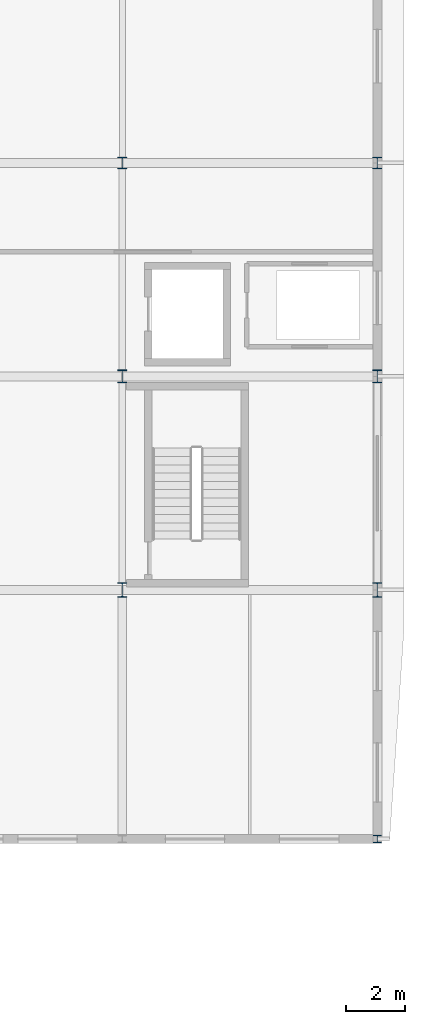
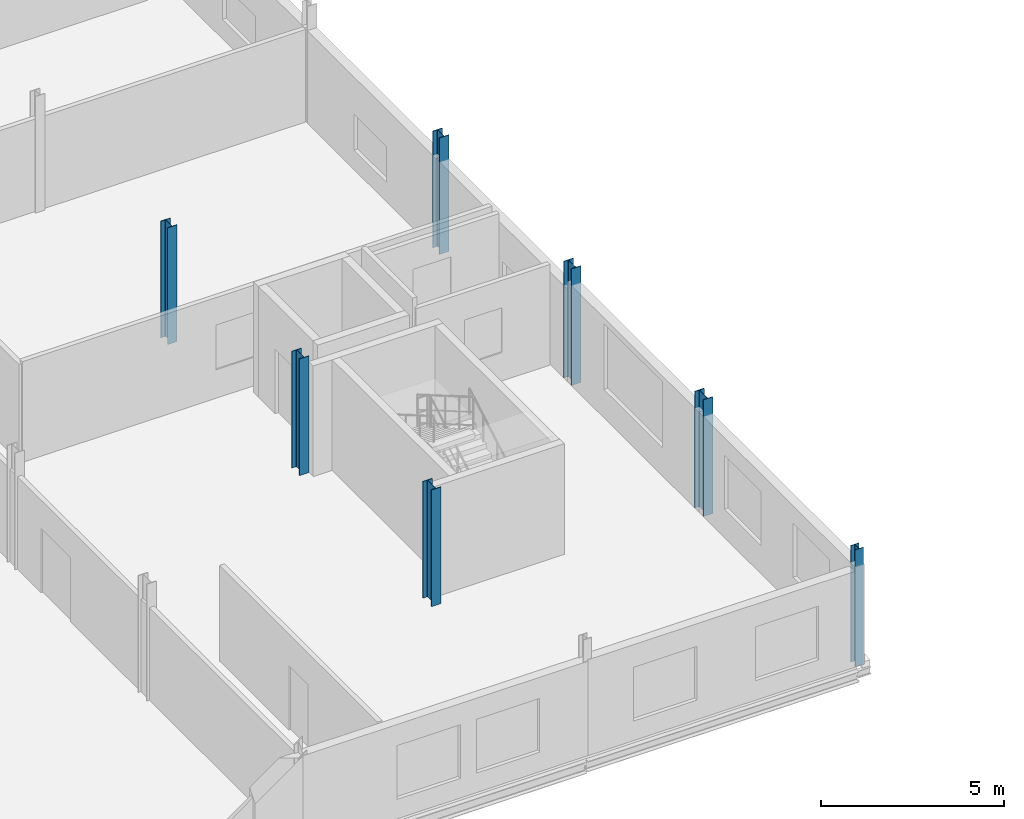
# One storey, part 6 of 49: 7 columns.
"""IFC4 building model written with IfcOpenShell, lengths in metres."""

from ifc_helpers import new_model, si_unit, direction, frame, origin, origin_2d, place, context, subcontext, project, spatial, i_section, extrude, material, material_profile, profile_set, type_object, element, save


model = new_model("IFC4")

# Units and contexts
model_context = context("Model", 3, precision=1e-05, world=origin(), true_north=direction((0.0, 1.0)))
body_context = subcontext(model_context, "Body", "Model", "MODEL_VIEW")
ifc_project = project(units=[si_unit("LENGTHUNIT", "METRE"), si_unit("AREAUNIT", "SQUARE_METRE"), si_unit("VOLUMEUNIT", "CUBIC_METRE"), si_unit("PLANEANGLEUNIT", "RADIAN"), si_unit("MASSUNIT", "GRAM", prefix="KILO")], contexts=[model_context])

# Site, building, storey
site_placement = place(None, origin())
site = spatial("IfcSite", under=ifc_project, at=site_placement, CompositionType="ELEMENT")
building_placement = place(site_placement, origin())
building = spatial("IfcBuilding", under=site, at=building_placement, Name="Vinh Khe Railworks Police Headquarters", CompositionType="ELEMENT")
storey_placement = place(building_placement, frame((0.0, 0.0, 17.10009765625)))
storey = spatial("IfcBuildingStorey", under=building, at=storey_placement, Name="L04", CompositionType="ELEMENT", Elevation=17.10009765625)

# Columns
ifc_material = material(Name="Steel S355JR", Category="steel")
ifc_material_profile_1 = material_profile(ifc_material, i_section(OverallWidth=0.300048828125, OverallDepth=0.389892578125, WebThickness=0.010986328125, FlangeThickness=0.01904296875, FilletRadius=0.027099609375, at=origin_2d()), Name="HEA 400")
ifc_profile_set_1 = profile_set([ifc_material_profile_1], Name="Steel S355JR")
column_type_1 = type_object("IfcColumnType", Name="Steel Column HEA 400", PredefinedType="COLUMN", material=ifc_profile_set_1)
for number, where, z_axis, x_axis, name in (
    (1, (105.0, 145.199951171875, 0.0), (0.0, 0.0, 1.0), (1.0, 0.0, 0.0), "Column COL-L04-SC-15-1372"),
    (2, (113.60009765625, 145.199951171875, 0.0), (0.0, 0.0, 1.0), (1.0, 0.0, 0.0), "Column COL-L04-SC-15-1433"),
):
    element("IfcColumn", number, at=place(storey_placement, frame(where, z_axis=z_axis, x_axis=x_axis)), inside=storey, type_object=column_type_1, Name=name, PredefinedType="COLUMN", context=body_context, shape_type="SweptSolid", body=[
        extrude(i_section(OverallWidth=0.300048828125, OverallDepth=0.389892578125, WebThickness=0.010986328125, FlangeThickness=0.01904296875, FilletRadius=0.027099609375, at=origin_2d()), origin(), (0.0, 0.0, 1.0), 3.89990234375),
    ])
ifc_material_profile_2 = material_profile(ifc_material, i_section(OverallWidth=0.300048828125, OverallDepth=0.43994140625, WebThickness=0.011474609375, FlangeThickness=0.02099609375, FilletRadius=0.027099609375, at=origin_2d()), Name="HEA 450")
ifc_profile_set_2 = profile_set([ifc_material_profile_2], Name="Steel S355JR")
column_type_2 = type_object("IfcColumnType", Name="Steel Column HEA 450", PredefinedType="COLUMN", material=ifc_profile_set_2)
for number, where, z_axis, x_axis, name in (
    (3, (105.0, 138.0, 0.0), (0.0, 0.0, 1.0), (1.0, 0.0, 0.0), "Column COL-L04-SC-14-1365"),
    (4, (113.60009765625, 138.0, 0.0), (0.0, 0.0, 1.0), (1.0, 0.0, 0.0), "Column COL-L04-SC-14-1426"),
):
    element("IfcColumn", number, at=place(storey_placement, frame(where, z_axis=z_axis, x_axis=x_axis)), inside=storey, type_object=column_type_2, Name=name, PredefinedType="COLUMN", context=body_context, shape_type="SweptSolid", body=[
        extrude(i_section(OverallWidth=0.300048828125, OverallDepth=0.43994140625, WebThickness=0.011474609375, FlangeThickness=0.02099609375, FilletRadius=0.027099609375, at=origin_2d()), origin(), (0.0, 0.0, 1.0), 3.89990234375),
    ])
ifc_material_profile_3 = material_profile(ifc_material, i_section(OverallWidth=0.300048828125, OverallDepth=0.489990234375, WebThickness=0.011962890625, FlangeThickness=0.02294921875, FilletRadius=0.027099609375, at=origin_2d()), Name="HEA 500")
ifc_profile_set_3 = profile_set([ifc_material_profile_3], Name="Steel S355JR")
column_type_3 = type_object("IfcColumnType", Name="Steel Column HEA 500", PredefinedType="COLUMN", material=ifc_profile_set_3)
for number, where, z_axis, x_axis, name in (
    (5, (105.0, 130.800048828125, 0.0), (0.0, 0.0, 1.0), (1.0, 0.0, 0.0), "Column COL-L04-SC-13-1358"),
    (6, (113.60009765625, 130.800048828125, 0.0), (0.0, 0.0, 1.0), (1.0, 0.0, 0.0), "Column COL-L04-SC-13-1419"),
):
    element("IfcColumn", number, at=place(storey_placement, frame(where, z_axis=z_axis, x_axis=x_axis)), inside=storey, type_object=column_type_3, Name=name, PredefinedType="COLUMN", context=body_context, shape_type="SweptSolid", body=[
        extrude(i_section(OverallWidth=0.300048828125, OverallDepth=0.489990234375, WebThickness=0.011962890625, FlangeThickness=0.02294921875, FilletRadius=0.027099609375, at=origin_2d()), origin(), (0.0, 0.0, 1.0), 3.89990234375),
    ])
ifc_material_profile_4 = material_profile(ifc_material, i_section(OverallWidth=0.260009765625, OverallDepth=0.260009765625, WebThickness=0.010009765625, FlangeThickness=0.017578125, FilletRadius=0.02392578125, at=origin_2d()), Name="HEB 260")
ifc_profile_set_4 = profile_set([ifc_material_profile_4], Name="Steel S355JR")
column_type_4 = type_object("IfcColumnType", Name="Steel Column HEB 260", PredefinedType="COLUMN", material=ifc_profile_set_4)
column_placement = place(storey_placement, frame((113.60009765625, 122.39990234375, 0.0), z_axis=(0.0, 0.0, 1.0), x_axis=(1.0, 0.0, 0.0)))
element("IfcColumn", 7, at=column_placement, inside=storey, type_object=column_type_4, Name="Column COL-L04-SC-12-1412", PredefinedType="COLUMN", context=body_context, shape_type="SweptSolid", body=[
    extrude(i_section(OverallWidth=0.260009765625, OverallDepth=0.260009765625, WebThickness=0.010009765625, FlangeThickness=0.017578125, FilletRadius=0.02392578125, at=origin_2d()), origin(), (0.0, 0.0, 1.0), 3.89990234375),
])

save(model, "model.ifc")
